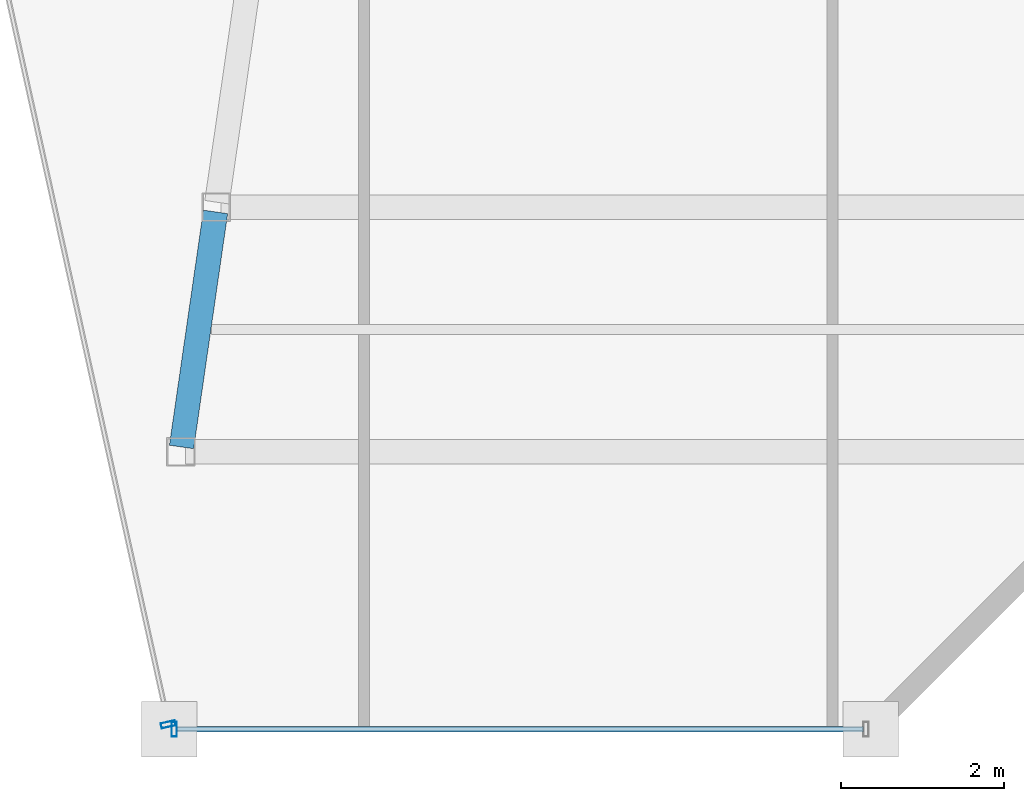
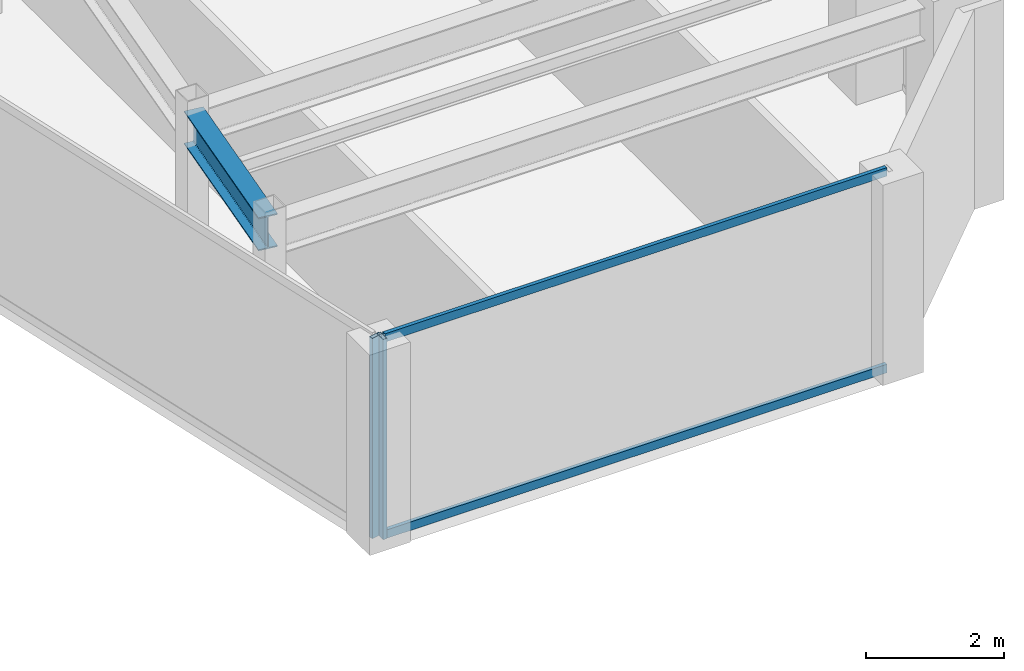
# One storey, part 12 of 32: 4 members, 1 beam, 2 elements without a shape of their own.
"""IFC4 building model written with IfcOpenShell, lengths in metres."""

from ifc_helpers import new_model, si_unit, direction, frame, origin, origin_2d, place, context, subcontext, project, spatial, hollow_rectangle, i_section, extrude, material, material_profile, profile_set, type_object, element, aggregate, save


model = new_model("IFC4")

# Units and contexts
model_context = context("Model", 3, precision=1e-05, world=origin(), true_north=direction((0.0, 1.0)))
body_context = subcontext(model_context, "Body", "Model", "MODEL_VIEW")
ifc_project = project(units=[si_unit("LENGTHUNIT", "METRE"), si_unit("AREAUNIT", "SQUARE_METRE"), si_unit("VOLUMEUNIT", "CUBIC_METRE"), si_unit("PLANEANGLEUNIT", "RADIAN"), si_unit("MASSUNIT", "GRAM", prefix="KILO")], contexts=[model_context])

# Site, building, storey
site_placement = place(None, origin())
site = spatial("IfcSite", under=ifc_project, at=site_placement, CompositionType="ELEMENT")
building_placement = place(site_placement, origin())
building = spatial("IfcBuilding", under=site, at=building_placement, Name="Saevonmaru Cultural Tower", CompositionType="ELEMENT")
storey_placement = place(building_placement, frame((0.0, 0.0, 242.0)))
storey = spatial("IfcBuildingStorey", under=building, at=storey_placement, Name="L56", CompositionType="ELEMENT", Elevation=242.0)

# Beam
ifc_material_1 = material(Name="Steel SM355", Category="steel")
ifc_material_profile_1 = material_profile(ifc_material_1, i_section(OverallWidth=0.300048828125, OverallDepth=0.587890625, WebThickness=0.011962890625, FlangeThickness=0.02001953125, FilletRadius=0.02392578125, at=origin_2d()), Name="H-588x300x12x20")
ifc_profile_set_1 = profile_set([ifc_material_profile_1], Name="Steel SM355")
beam_type = type_object("IfcBeamType", Name="BM-G-H588", PredefinedType="BEAM", material=ifc_profile_set_1)
beam_placement = place(storey_placement, frame((38.802490234375, 21.059326171875, 3.256103515625), z_axis=(0.143229094195, 0.989689560709, 0.0), x_axis=(-0.989689560709, 0.143229094195, 0.0)))
element("IfcBeam", 1, at=beam_placement, inside=storey, type_object=beam_type, Name="L56 East Atrium Girder 1", PredefinedType="BEAM", context=body_context, shape_type="SweptSolid", body=[
    extrude(i_section(OverallWidth=0.300048828125, OverallDepth=0.587890625, WebThickness=0.011962890625, FlangeThickness=0.02001953125, FilletRadius=0.02392578125, at=origin_2d()), origin(), (0.0, 0.0, 1.0), 2.911376953125),
])

# Curtain wall, member
ifc_material_2 = material(Name="Satin Bronze Anodised Aluminium", Category="aluminium")
curtain_wall_type = type_object("IfcCurtainWallType", Name="CW-TYP-B", PredefinedType="NOTDEFINED", material=ifc_material_2)
curtain_wall_1_placement = place(storey_placement, origin())
curtain_wall_1 = element("IfcCurtainWall", 2, at=curtain_wall_1_placement, inside=storey, type_object=curtain_wall_type, Name="L56 Unitised Curtain Wall E5", PredefinedType="NOTDEFINED")
ifc_material_profile_2 = material_profile(ifc_material_2, hollow_rectangle(XDim=0.06494140625, YDim=0.179931640625, WallThickness=0.00390625, at=origin_2d()), Name="ALU-MULL-180x65x4")
ifc_profile_set_2 = profile_set([ifc_material_profile_2], Name="Satin Bronze Anodised Aluminium")
member_type_1 = type_object("IfcMemberType", Name="ML-CW-180x65", PredefinedType="MULLION", material=ifc_profile_set_2)
member_1_placement = place(storey_placement, frame((38.640380859375, 17.65869140625, 0.0), z_axis=(0.0, 0.0, 1.0), x_axis=(0.215413319953, -0.976522965212, 0.0)))
member_1 = element("IfcMember", 3, at=member_1_placement, type_object=member_type_1, Name="CW-TW-L56-E5 mullion 2", PredefinedType="MULLION", context=body_context, shape_type="SweptSolid", body=[
    extrude(hollow_rectangle(XDim=0.06494140625, YDim=0.179931640625, WallThickness=0.00390625, at=origin_2d()), origin(), (0.0, 0.0, 1.0), 3.550048828125),
])
aggregate(curtain_wall_1, [member_1])

# Curtain wall, members
curtain_wall_2_placement = place(storey_placement, origin())
curtain_wall_2 = element("IfcCurtainWall", 4, at=curtain_wall_2_placement, inside=storey, type_object=curtain_wall_type, Name="L56 Unitised Curtain Wall E6", PredefinedType="NOTDEFINED")
member_2_placement = place(storey_placement, frame((38.71337890625, 17.60009765625, 0.0), z_axis=(0.0, 0.0, 1.0), x_axis=(1.0, 0.0, 0.0)))
member_2 = element("IfcMember", 5, at=member_2_placement, type_object=member_type_1, Name="CW-TW-L56-E6 mullion 1", PredefinedType="MULLION", context=body_context, shape_type="SweptSolid", body=[
    extrude(hollow_rectangle(XDim=0.06494140625, YDim=0.179931640625, WallThickness=0.00390625, at=origin_2d()), origin(), (0.0, 0.0, 1.0), 3.550048828125),
])
ifc_material_profile_3 = material_profile(ifc_material_2, hollow_rectangle(XDim=0.06494140625, YDim=0.14990234375, WallThickness=0.00390625, at=origin_2d()), Name="ALU-TRAN-150x65x4")
ifc_profile_set_3 = profile_set([ifc_material_profile_3], Name="Satin Bronze Anodised Aluminium")
member_type_2 = type_object("IfcMemberType", Name="TR-CW-150x65", PredefinedType="USERDEFINED", material=ifc_profile_set_3)
member_3_placement = place(storey_placement, frame((38.745849609375, 17.60009765625, 0.032470703125), z_axis=(1.0, 0.0, 0.0), x_axis=(0.0, 1.0, 0.0)))
member_3 = element("IfcMember", 6, at=member_3_placement, type_object=member_type_2, Name="CW-TW-L56-E6 transom 1.1", ObjectType="TRANSOM", PredefinedType="USERDEFINED", context=body_context, shape_type="SweptSolid", body=[
    extrude(hollow_rectangle(XDim=0.06494140625, YDim=0.14990234375, WallThickness=0.00390625, at=origin_2d()), origin(), (0.0, 0.0, 1.0), 8.4150390625),
])
member_4_placement = place(storey_placement, frame((38.745849609375, 17.60009765625, 3.517578125), z_axis=(1.0, 0.0, 0.0), x_axis=(0.0, 1.0, 0.0)))
member_4 = element("IfcMember", 7, at=member_4_placement, type_object=member_type_2, Name="CW-TW-L56-E6 transom 1.2", ObjectType="TRANSOM", PredefinedType="USERDEFINED", context=body_context, shape_type="SweptSolid", body=[
    extrude(hollow_rectangle(XDim=0.06494140625, YDim=0.14990234375, WallThickness=0.00390625, at=origin_2d()), origin(), (0.0, 0.0, 1.0), 8.4150390625),
])
aggregate(curtain_wall_2, [member_2, member_3, member_4])

save(model, "model.ifc")
